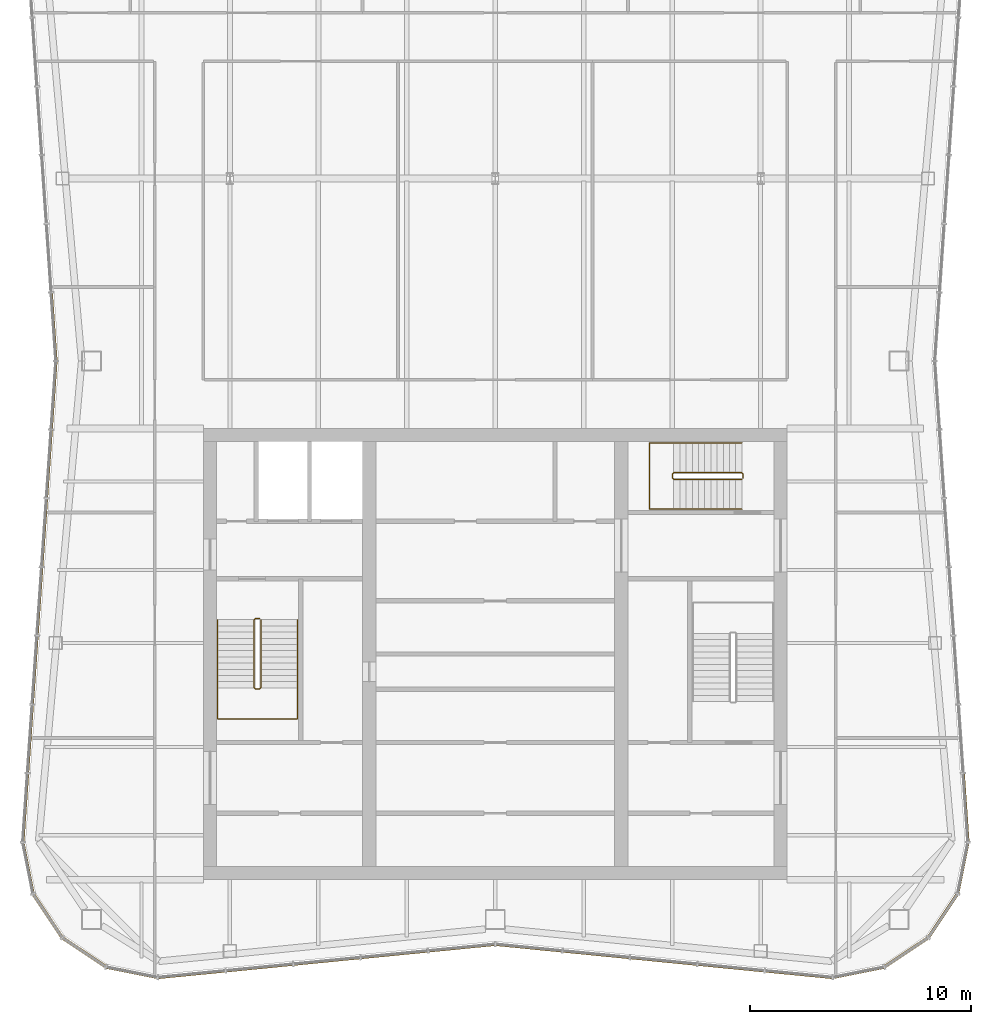
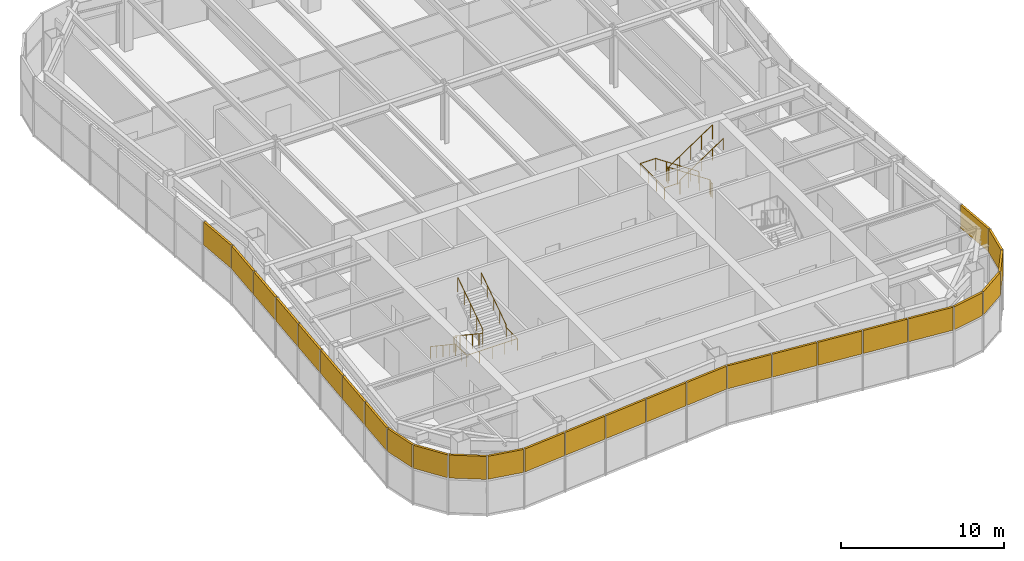
# One storey, part 12 of 13: 27 shading devices, 4 railings, 5 elements without a shape of their own.
"""IFC4 building model written with IfcOpenShell, lengths in metres."""

from ifc_helpers import new_model, si_unit, direction, frame, origin, origin_2d, place, context, subcontext, project, spatial, rectangle, circle, extrude, material, layer, layer_set, type_object, element, aggregate, save


model = new_model("IFC4")

# Units and contexts
model_context = context("Model", 3, precision=1e-05, world=origin(), true_north=direction((0.0, 1.0)))
body_context = subcontext(model_context, "Body", "Model", "MODEL_VIEW")
ifc_project = project(units=[si_unit("LENGTHUNIT", "METRE"), si_unit("AREAUNIT", "SQUARE_METRE"), si_unit("VOLUMEUNIT", "CUBIC_METRE"), si_unit("PLANEANGLEUNIT", "RADIAN"), si_unit("MASSUNIT", "GRAM", prefix="KILO")], contexts=[model_context])

# Site, building, storey
site_placement = place(None, origin())
site = spatial("IfcSite", under=ifc_project, at=site_placement, CompositionType="ELEMENT")
building_placement = place(site_placement, origin())
building = spatial("IfcBuilding", under=site, at=building_placement, Name="Verdant Reach Tower", CompositionType="ELEMENT")
storey_placement = place(building_placement, frame((0.0, 0.0, 359.5)))
storey = spatial("IfcBuildingStorey", under=building, at=storey_placement, Name="L81 Plant", CompositionType="ELEMENT", Elevation=359.5)

# Railings
ifc_material_1 = material(Name="Stainless steel", Category="steel")
railing_type_1 = type_object("IfcRailingType", Name="CO-GUARD", PredefinedType="GUARDRAIL", material=ifc_material_1)
railing_1_placement = place(storey_placement, frame((-10.64990234375, 29.60009765625, 0.0)))
element("IfcRailing", 1, at=railing_1_placement, inside=storey, type_object=railing_type_1, Name="L81 Plant ST-1 stair guard 1", PredefinedType="GUARDRAIL", context=body_context, shape_type="SweptSolid", body=[
    extrude(circle(Radius=0.02392578125, at=origin_2d()), frame((0.0, 0.0, 1.076171875), z_axis=(-1.0, 0.0, 0.0), x_axis=(0.0, -1.0, 0.0)), (0.0, 0.0, 1.0), 0.2001953125),
    extrude(circle(Radius=0.02392578125, at=origin_2d()), frame((-0.2001953125, 0.0, 1.076171875), z_axis=(-0.248583702486, -0.249802250048, 0.935844527007), x_axis=(0.708833529934, -0.705375805398, 0.0)), (0.0, 0.0, 1.0), 0.200439453125),
    extrude(circle(Radius=0.02392578125, at=origin_2d()), frame((-0.25, -0.050048828125, 1.263671875), z_axis=(0.0, -0.830913701846, 0.55640131208), x_axis=(1.0, 0.0, 0.0)), (0.0, 0.0, 1.0), 3.706787109375),
    extrude(circle(Radius=0.02392578125, at=origin_2d()), frame((-0.25, -3.130126953125, 3.326171875), z_axis=(0.705375805398, -0.708833529934, 0.0), x_axis=(0.708833529934, 0.705375805398, 0.0)), (0.0, 0.0, 1.0), 0.070556640625),
    extrude(circle(Radius=0.02392578125, at=origin_2d()), frame((-0.2001953125, -3.18017578125, 3.326171875), z_axis=(1.0, 0.0, 0.0), x_axis=(0.0, 1.0, 0.0)), (0.0, 0.0, 1.0), 0.2001953125),
    extrude(circle(Radius=0.02392578125, at=origin_2d()), frame((0.0, -3.18017578125, 3.326171875), z_axis=(0.248583702486, 0.249802250048, 0.935844527007), x_axis=(-0.708833529934, 0.705375805398, 0.0)), (0.0, 0.0, 1.0), 0.200439453125),
    extrude(circle(Radius=0.02392578125, at=origin_2d()), frame((0.0498046875, -3.130126953125, 3.513671875), z_axis=(0.0, 0.830913701846, 0.55640131208), x_axis=(-1.0, 0.0, 0.0)), (0.0, 0.0, 1.0), 3.706787109375),
    extrude(circle(Radius=0.02099609375, at=origin_2d()), origin(), (0.0, 0.0, 1.0), 1.052001953125),
    extrude(circle(Radius=0.02099609375, at=origin_2d()), frame((-0.2001953125, 0.0, 0.0)), (0.0, 0.0, 1.0), 1.052001953125),
    extrude(circle(Radius=0.02099609375, at=origin_2d()), frame((-0.25, -0.050048828125, 0.1875)), (0.0, 0.0, 1.0), 1.052001953125),
    extrude(circle(Radius=0.02099609375, at=origin_2d()), frame((-0.25, -0.820068359375, 0.703125)), (0.0, 0.0, 1.0), 1.052001953125),
    extrude(circle(Radius=0.02099609375, at=origin_2d()), frame((-0.25, -1.590087890625, 1.21875)), (0.0, 0.0, 1.0), 1.052001953125),
    extrude(circle(Radius=0.02099609375, at=origin_2d()), frame((-0.25, -2.360107421875, 1.734375)), (0.0, 0.0, 1.0), 1.052001953125),
    extrude(circle(Radius=0.02099609375, at=origin_2d()), frame((-0.25, -3.130126953125, 2.25)), (0.0, 0.0, 1.0), 1.052001953125),
    extrude(circle(Radius=0.02099609375, at=origin_2d()), frame((-0.2001953125, -3.18017578125, 2.25)), (0.0, 0.0, 1.0), 1.052001953125),
    extrude(circle(Radius=0.02099609375, at=origin_2d()), frame((0.0, -3.18017578125, 2.25)), (0.0, 0.0, 1.0), 1.052001953125),
    extrude(circle(Radius=0.02099609375, at=origin_2d()), frame((0.0498046875, -3.130126953125, 2.4375)), (0.0, 0.0, 1.0), 1.052001953125),
    extrude(circle(Radius=0.02099609375, at=origin_2d()), frame((0.0498046875, -2.360107421875, 2.953125)), (0.0, 0.0, 1.0), 1.052001953125),
    extrude(circle(Radius=0.02099609375, at=origin_2d()), frame((0.0498046875, -1.590087890625, 3.46875)), (0.0, 0.0, 1.0), 1.052001953125),
    extrude(circle(Radius=0.02099609375, at=origin_2d()), frame((0.0498046875, -0.820068359375, 3.984375)), (0.0, 0.0, 1.0), 1.052001953125),
    extrude(circle(Radius=0.02099609375, at=origin_2d()), frame((0.0498046875, -0.050048828125, 4.5)), (0.0, 0.0, 1.0), 1.052001953125),
])
railing_2_placement = place(storey_placement, frame((11.199951171875, 35.949951171875, 0.0)))
element("IfcRailing", 2, at=railing_2_placement, inside=storey, type_object=railing_type_1, Name="L81 Plant ST-3 stair guard 1", PredefinedType="GUARDRAIL", context=body_context, shape_type="SweptSolid", body=[
    extrude(circle(Radius=0.02392578125, at=origin_2d()), frame((0.0, 0.0, 1.076171875), z_axis=(0.0, 1.0, 0.0), x_axis=(-1.0, 0.0, 0.0)), (0.0, 0.0, 1.0), 0.199951171875),
    extrude(circle(Radius=0.02392578125, at=origin_2d()), frame((0.0, 0.199951171875, 1.076171875), z_axis=(-0.249726431254, 0.249726431254, 0.935560483917), x_axis=(-0.707106781187, -0.707106781187, 0.0)), (0.0, 0.0, 1.0), 0.200439453125),
    extrude(circle(Radius=0.02392578125, at=origin_2d()), frame((-0.050048828125, 0.25, 1.263671875), z_axis=(-0.830893310487, 0.0, 0.556431762742), x_axis=(0.0, -1.0, 0.0)), (0.0, 0.0, 1.0), 3.70654296875),
    extrude(circle(Radius=0.02392578125, at=origin_2d()), frame((-3.1298828125, 0.25, 3.326171875), z_axis=(-0.707106781187, -0.707106781187, 0.0), x_axis=(0.707106781187, -0.707106781187, 0.0)), (0.0, 0.0, 1.0), 0.07080078125),
    extrude(circle(Radius=0.02392578125, at=origin_2d()), frame((-3.179931640625, 0.199951171875, 3.326171875), z_axis=(0.0, -1.0, 0.0), x_axis=(1.0, 0.0, 0.0)), (0.0, 0.0, 1.0), 0.199951171875),
    extrude(circle(Radius=0.02392578125, at=origin_2d()), frame((-3.179931640625, 0.0, 3.326171875), z_axis=(0.249726431254, -0.249726431254, 0.935560483917), x_axis=(0.707106781187, 0.707106781187, 0.0)), (0.0, 0.0, 1.0), 0.200439453125),
    extrude(circle(Radius=0.02392578125, at=origin_2d()), frame((-3.1298828125, -0.050048828125, 3.513671875), z_axis=(0.830893310487, 0.0, 0.556431762742), x_axis=(0.0, 1.0, 0.0)), (0.0, 0.0, 1.0), 3.70654296875),
    extrude(circle(Radius=0.02099609375, at=origin_2d()), origin(), (0.0, 0.0, 1.0), 1.052001953125),
    extrude(circle(Radius=0.02099609375, at=origin_2d()), frame((0.0, 0.199951171875, 0.0)), (0.0, 0.0, 1.0), 1.052001953125),
    extrude(circle(Radius=0.02099609375, at=origin_2d()), frame((-0.050048828125, 0.25, 0.1875)), (0.0, 0.0, 1.0), 1.052001953125),
    extrude(circle(Radius=0.02099609375, at=origin_2d()), frame((-0.820068359375, 0.25, 0.703125)), (0.0, 0.0, 1.0), 1.052001953125),
    extrude(circle(Radius=0.02099609375, at=origin_2d()), frame((-1.58984375, 0.25, 1.21875)), (0.0, 0.0, 1.0), 1.052001953125),
    extrude(circle(Radius=0.02099609375, at=origin_2d()), frame((-2.35986328125, 0.25, 1.734375)), (0.0, 0.0, 1.0), 1.052001953125),
    extrude(circle(Radius=0.02099609375, at=origin_2d()), frame((-3.1298828125, 0.25, 2.25)), (0.0, 0.0, 1.0), 1.052001953125),
    extrude(circle(Radius=0.02099609375, at=origin_2d()), frame((-3.179931640625, 0.199951171875, 2.25)), (0.0, 0.0, 1.0), 1.052001953125),
    extrude(circle(Radius=0.02099609375, at=origin_2d()), frame((-3.179931640625, 0.0, 2.25)), (0.0, 0.0, 1.0), 1.052001953125),
    extrude(circle(Radius=0.02099609375, at=origin_2d()), frame((-3.1298828125, -0.050048828125, 2.4375)), (0.0, 0.0, 1.0), 1.052001953125),
    extrude(circle(Radius=0.02099609375, at=origin_2d()), frame((-2.35986328125, -0.050048828125, 2.953125)), (0.0, 0.0, 1.0), 1.052001953125),
    extrude(circle(Radius=0.02099609375, at=origin_2d()), frame((-1.58984375, -0.050048828125, 3.46875)), (0.0, 0.0, 1.0), 1.052001953125),
    extrude(circle(Radius=0.02099609375, at=origin_2d()), frame((-0.820068359375, -0.050048828125, 3.984375)), (0.0, 0.0, 1.0), 1.052001953125),
    extrude(circle(Radius=0.02099609375, at=origin_2d()), frame((-0.050048828125, -0.050048828125, 4.5)), (0.0, 0.0, 1.0), 1.052001953125),
])
railing_type_2 = type_object("IfcRailingType", Name="CO-HANDRAIL", PredefinedType="HANDRAIL", material=ifc_material_1)
railing_3_placement = place(storey_placement, frame((-12.550048828125, 29.550048828125, 0.1875)))
element("IfcRailing", 3, at=railing_3_placement, inside=storey, type_object=railing_type_2, Name="L81 Plant ST-1 stair handrail 1", PredefinedType="HANDRAIL", context=body_context, shape_type="SweptSolid", body=[
    extrude(circle(Radius=0.02392578125, at=origin_2d()), frame((0.0, 0.0, 0.8759765625), z_axis=(0.0, -0.830913701846, 0.55640131208), x_axis=(1.0, 0.0, 0.0)), (0.0, 0.0, 1.0), 3.706787109375),
    extrude(circle(Radius=0.02392578125, at=origin_2d()), frame((0.0, -3.080078125, 2.9384765625), z_axis=(0.0, -1.0, 0.0), x_axis=(1.0, 0.0, 0.0)), (0.0, 0.0, 1.0), 1.39990234375),
    extrude(circle(Radius=0.02392578125, at=origin_2d()), frame((0.0, -4.47998046875, 2.9384765625), z_axis=(1.0, 0.0, 0.0), x_axis=(0.0, 1.0, 0.0)), (0.0, 0.0, 1.0), 3.60009765625),
    extrude(circle(Radius=0.02392578125, at=origin_2d()), frame((3.60009765625, -4.47998046875, 2.9384765625), z_axis=(0.0, 1.0, 0.0), x_axis=(-1.0, 0.0, 0.0)), (0.0, 0.0, 1.0), 1.39990234375),
    extrude(circle(Radius=0.02392578125, at=origin_2d()), frame((3.60009765625, -3.080078125, 2.9384765625), z_axis=(0.0, 0.0, 1.0), x_axis=(1.0, 0.0, 0.0)), (0.0, 0.0, 1.0), 0.1875),
    extrude(circle(Radius=0.02392578125, at=origin_2d()), frame((3.60009765625, -3.080078125, 3.1259765625), z_axis=(0.0, 0.830913701846, 0.55640131208), x_axis=(-1.0, 0.0, 0.0)), (0.0, 0.0, 1.0), 3.706787109375),
    extrude(circle(Radius=0.02099609375, at=origin_2d()), origin(), (0.0, 0.0, 1.0), 0.851806640625),
    extrude(circle(Radius=0.02099609375, at=origin_2d()), frame((0.0, -0.77001953125, 0.515625)), (0.0, 0.0, 1.0), 0.851806640625),
    extrude(circle(Radius=0.02099609375, at=origin_2d()), frame((0.0, -1.5400390625, 1.03125)), (0.0, 0.0, 1.0), 0.851806640625),
    extrude(circle(Radius=0.02099609375, at=origin_2d()), frame((0.0, -2.31005859375, 1.546875)), (0.0, 0.0, 1.0), 0.851806640625),
    extrude(circle(Radius=0.02099609375, at=origin_2d()), frame((0.0, -3.080078125, 2.0625)), (0.0, 0.0, 1.0), 0.851806640625),
    extrude(circle(Radius=0.02099609375, at=origin_2d()), frame((0.0, -3.780029296875, 2.0625)), (0.0, 0.0, 1.0), 0.851806640625),
    extrude(circle(Radius=0.02099609375, at=origin_2d()), frame((0.0, -4.47998046875, 2.0625)), (0.0, 0.0, 1.0), 0.851806640625),
    extrude(circle(Radius=0.02099609375, at=origin_2d()), frame((0.89990234375, -4.47998046875, 2.0625)), (0.0, 0.0, 1.0), 0.851806640625),
    extrude(circle(Radius=0.02099609375, at=origin_2d()), frame((1.800048828125, -4.47998046875, 2.0625)), (0.0, 0.0, 1.0), 0.851806640625),
    extrude(circle(Radius=0.02099609375, at=origin_2d()), frame((2.7001953125, -4.47998046875, 2.0625)), (0.0, 0.0, 1.0), 0.851806640625),
    extrude(circle(Radius=0.02099609375, at=origin_2d()), frame((3.60009765625, -4.47998046875, 2.0625)), (0.0, 0.0, 1.0), 0.851806640625),
    extrude(circle(Radius=0.02099609375, at=origin_2d()), frame((3.60009765625, -3.780029296875, 2.0625)), (0.0, 0.0, 1.0), 0.851806640625),
    extrude(circle(Radius=0.02099609375, at=origin_2d()), frame((3.60009765625, -3.080078125, 2.0625)), (0.0, 0.0, 1.0), 0.851806640625),
    extrude(circle(Radius=0.02099609375, at=origin_2d()), frame((3.60009765625, -3.080078125, 2.25)), (0.0, 0.0, 1.0), 0.851806640625),
    extrude(circle(Radius=0.02099609375, at=origin_2d()), frame((3.60009765625, -2.31005859375, 2.765625)), (0.0, 0.0, 1.0), 0.851806640625),
    extrude(circle(Radius=0.02099609375, at=origin_2d()), frame((3.60009765625, -1.5400390625, 3.28125)), (0.0, 0.0, 1.0), 0.851806640625),
    extrude(circle(Radius=0.02099609375, at=origin_2d()), frame((3.60009765625, -0.77001953125, 3.796875)), (0.0, 0.0, 1.0), 0.851806640625),
    extrude(circle(Radius=0.02099609375, at=origin_2d()), frame((3.60009765625, 0.0, 4.3125)), (0.0, 0.0, 1.0), 0.851806640625),
])
railing_4_placement = place(storey_placement, frame((11.14990234375, 37.550048828125, 0.1875)))
element("IfcRailing", 4, at=railing_4_placement, inside=storey, type_object=railing_type_2, Name="L81 Plant ST-3 stair handrail 1", PredefinedType="HANDRAIL", context=body_context, shape_type="SweptSolid", body=[
    extrude(circle(Radius=0.02392578125, at=origin_2d()), frame((0.0, 0.0, 0.8759765625), z_axis=(-0.830893310487, 0.0, 0.556431762742), x_axis=(0.0, -1.0, 0.0)), (0.0, 0.0, 1.0), 3.70654296875),
    extrude(circle(Radius=0.02392578125, at=origin_2d()), frame((-3.079833984375, 0.0, 2.9384765625), z_axis=(-1.0, 0.0, 0.0), x_axis=(0.0, -1.0, 0.0)), (0.0, 0.0, 1.0), 1.10009765625),
    extrude(circle(Radius=0.02392578125, at=origin_2d()), frame((-4.179931640625, 0.0, 2.9384765625), z_axis=(0.0, -1.0, 0.0), x_axis=(1.0, 0.0, 0.0)), (0.0, 0.0, 1.0), 3.0),
    extrude(circle(Radius=0.02392578125, at=origin_2d()), frame((-4.179931640625, -3.0, 2.9384765625), z_axis=(1.0, 0.0, 0.0), x_axis=(0.0, 1.0, 0.0)), (0.0, 0.0, 1.0), 1.10009765625),
    extrude(circle(Radius=0.02392578125, at=origin_2d()), frame((-3.079833984375, -3.0, 2.9384765625), z_axis=(0.0, 0.0, 1.0), x_axis=(1.0, 0.0, 0.0)), (0.0, 0.0, 1.0), 0.1875),
    extrude(circle(Radius=0.02392578125, at=origin_2d()), frame((-3.079833984375, -3.0, 3.1259765625), z_axis=(0.830893310487, 0.0, 0.556431762742), x_axis=(0.0, 1.0, 0.0)), (0.0, 0.0, 1.0), 3.70654296875),
    extrude(circle(Radius=0.02099609375, at=origin_2d()), origin(), (0.0, 0.0, 1.0), 0.851806640625),
    extrude(circle(Radius=0.02099609375, at=origin_2d()), frame((-0.77001953125, 0.0, 0.515625)), (0.0, 0.0, 1.0), 0.851806640625),
    extrude(circle(Radius=0.02099609375, at=origin_2d()), frame((-1.5400390625, 0.0, 1.03125)), (0.0, 0.0, 1.0), 0.851806640625),
    extrude(circle(Radius=0.02099609375, at=origin_2d()), frame((-2.309814453125, 0.0, 1.546875)), (0.0, 0.0, 1.0), 0.851806640625),
    extrude(circle(Radius=0.02099609375, at=origin_2d()), frame((-3.079833984375, 0.0, 2.0625)), (0.0, 0.0, 1.0), 0.851806640625),
    extrude(circle(Radius=0.02099609375, at=origin_2d()), frame((-4.179931640625, 0.0, 2.0625)), (0.0, 0.0, 1.0), 0.851806640625),
    extrude(circle(Radius=0.02099609375, at=origin_2d()), frame((-4.179931640625, -1.0, 2.0625)), (0.0, 0.0, 1.0), 0.851806640625),
    extrude(circle(Radius=0.02099609375, at=origin_2d()), frame((-4.179931640625, -2.0, 2.0625)), (0.0, 0.0, 1.0), 0.851806640625),
    extrude(circle(Radius=0.02099609375, at=origin_2d()), frame((-4.179931640625, -3.0, 2.0625)), (0.0, 0.0, 1.0), 0.851806640625),
    extrude(circle(Radius=0.02099609375, at=origin_2d()), frame((-3.079833984375, -3.0, 2.0625)), (0.0, 0.0, 1.0), 0.851806640625),
    extrude(circle(Radius=0.02099609375, at=origin_2d()), frame((-3.079833984375, -3.0, 2.25)), (0.0, 0.0, 1.0), 0.851806640625),
    extrude(circle(Radius=0.02099609375, at=origin_2d()), frame((-2.309814453125, -3.0, 2.765625)), (0.0, 0.0, 1.0), 0.851806640625),
    extrude(circle(Radius=0.02099609375, at=origin_2d()), frame((-1.5400390625, -3.0, 3.28125)), (0.0, 0.0, 1.0), 0.851806640625),
    extrude(circle(Radius=0.02099609375, at=origin_2d()), frame((-0.77001953125, -3.0, 3.796875)), (0.0, 0.0, 1.0), 0.851806640625),
    extrude(circle(Radius=0.02099609375, at=origin_2d()), frame((0.0, -3.0, 4.3125)), (0.0, 0.0, 1.0), 0.851806640625),
])

# Curtain wall, shading devices
ifc_material_2 = material(Name="Anodised aluminium", Category="aluminium")
curtain_wall_type = type_object("IfcCurtainWallType", Name="EN-CW SYSTEM PLANT", PredefinedType="NOTDEFINED", material=ifc_material_2)
curtain_wall_1_placement = place(storey_placement, origin())
curtain_wall_1 = element("IfcCurtainWall", 5, at=curtain_wall_1_placement, inside=storey, type_object=curtain_wall_type, Name="Curtain wall south-east corner, L81", PredefinedType="NOTDEFINED")
ifc_material_3 = material(Name="Bronze anodised aluminium louvre", Category="aluminium")
ifc_layer = layer(ifc_material_3, 0.14990234375)
ifc_layer_set = layer_set([ifc_layer], Name="EN-LOUVRE")
shading_device_type = type_object("IfcShadingDeviceType", Name="EN-LOUVRE", PredefinedType="USERDEFINED", material=ifc_layer_set)
shading_device_1_placement = place(storey_placement, frame((16.423828125, 13.614013671875, 2.425048828125), z_axis=(0.0, 0.0, 1.0), x_axis=(0.980705120874, 0.195492879387, 0.0)))
shading_device_1 = element("IfcShadingDevice", 6, at=shading_device_1_placement, type_object=shading_device_type, Name="Louvre bank south-east corner 1, L81", ObjectType="LOUVRE", PredefinedType="USERDEFINED", context=body_context, shape_type="SweptSolid", body=[
    extrude(rectangle(XDim=2.3056640625, YDim=0.14990234375, at=origin_2d()), origin(), (0.0, 0.0, 1.0), 1.72509765625),
])
shading_device_2_placement = place(storey_placement, frame((18.584228515625, 14.510009765625, 2.425048828125), z_axis=(0.0, 0.0, 1.0), x_axis=(0.83145208321, 0.555596466265, 0.0)))
shading_device_2 = element("IfcShadingDevice", 7, at=shading_device_2_placement, type_object=shading_device_type, Name="Louvre bank south-east corner 2, L81", ObjectType="LOUVRE", PredefinedType="USERDEFINED", context=body_context, shape_type="SweptSolid", body=[
    extrude(rectangle(XDim=2.3115234375, YDim=0.14990234375, at=origin_2d()), origin(), (0.0, 0.0, 1.0), 1.72509765625),
])
shading_device_3_placement = place(storey_placement, frame((20.239990234375, 16.165771484375, 2.425048828125), z_axis=(0.0, 0.0, 1.0), x_axis=(0.555596466265, 0.83145208321, 0.0)))
shading_device_3 = element("IfcShadingDevice", 8, at=shading_device_3_placement, type_object=shading_device_type, Name="Louvre bank south-east corner 3, L81", ObjectType="LOUVRE", PredefinedType="USERDEFINED", context=body_context, shape_type="SweptSolid", body=[
    extrude(rectangle(XDim=2.3115234375, YDim=0.14990234375, at=origin_2d()), origin(), (0.0, 0.0, 1.0), 1.72509765625),
])
shading_device_4_placement = place(storey_placement, frame((21.135986328125, 18.325439453125, 2.425048828125), z_axis=(0.0, 0.0, 1.0), x_axis=(0.195592962334, 0.980685165119, 0.0)))
shading_device_4 = element("IfcShadingDevice", 9, at=shading_device_4_placement, type_object=shading_device_type, Name="Louvre bank south-east corner 4, L81", ObjectType="LOUVRE", PredefinedType="USERDEFINED", context=body_context, shape_type="SweptSolid", body=[
    extrude(rectangle(XDim=2.303955078125, YDim=0.14990234375, at=origin_2d()), origin(), (0.0, 0.0, 1.0), 1.72509765625),
])
aggregate(curtain_wall_1, [shading_device_1, shading_device_2, shading_device_3, shading_device_4])

# Curtain wall, shading device
curtain_wall_2_placement = place(storey_placement, origin())
curtain_wall_2 = element("IfcCurtainWall", 10, at=curtain_wall_2_placement, inside=storey, type_object=curtain_wall_type, Name="Curtain wall east, L81", PredefinedType="NOTDEFINED")
shading_device_5_placement = place(storey_placement, frame((21.261474609375, 21.053955078125, 2.425048828125), z_axis=(0.0, 0.0, 1.0), x_axis=(-0.068469163133, 0.997653233193, 0.0)))
shading_device_5 = element("IfcShadingDevice", 11, at=shading_device_5_placement, type_object=shading_device_type, Name="Louvre bank east face part 1 1, L81", ObjectType="LOUVRE", PredefinedType="USERDEFINED", context=body_context, shape_type="SweptSolid", body=[
    extrude(rectangle(XDim=3.05419921875, YDim=0.14990234375, at=origin_2d()), origin(), (0.0, 0.0, 1.0), 1.72509765625),
])
aggregate(curtain_wall_2, [shading_device_5])

# Curtain wall, shading devices
curtain_wall_3_placement = place(storey_placement, origin())
curtain_wall_3 = element("IfcCurtainWall", 12, at=curtain_wall_3_placement, inside=storey, type_object=curtain_wall_type, Name="Curtain wall west, L81", PredefinedType="NOTDEFINED")
shading_device_6_placement = place(storey_placement, frame((-19.97607421875, 42.799560546875, 2.425048828125), z_axis=(0.0, 0.0, 1.0), x_axis=(0.068892655483, -0.997624078509, 0.0)))
shading_device_6 = element("IfcShadingDevice", 13, at=shading_device_6_placement, type_object=shading_device_type, Name="Louvre bank west face part 1 7, L81", ObjectType="LOUVRE", PredefinedType="USERDEFINED", context=body_context, shape_type="SweptSolid", body=[
    extrude(rectangle(XDim=3.0302734375, YDim=0.14990234375, at=origin_2d()), origin(), (0.0, 0.0, 1.0), 1.72509765625),
])
shading_device_7_placement = place(storey_placement, frame((-19.97607421875, 39.700439453125, 2.425048828125), z_axis=(0.0, 0.0, 1.0), x_axis=(-0.068892655483, -0.997624078509, 0.0)))
shading_device_7 = element("IfcShadingDevice", 14, at=shading_device_7_placement, type_object=shading_device_type, Name="Louvre bank west face part 2 1, L81", ObjectType="LOUVRE", PredefinedType="USERDEFINED", context=body_context, shape_type="SweptSolid", body=[
    extrude(rectangle(XDim=3.0302734375, YDim=0.14990234375, at=origin_2d()), origin(), (0.0, 0.0, 1.0), 1.72509765625),
])
shading_device_8_placement = place(storey_placement, frame((-20.190185546875, 36.597412109375, 2.425048828125), z_axis=(0.0, 0.0, 1.0), x_axis=(-0.068802091615, -0.997630328423, 0.0)))
shading_device_8 = element("IfcShadingDevice", 15, at=shading_device_8_placement, type_object=shading_device_type, Name="Louvre bank west face part 2 2, L81", ObjectType="LOUVRE", PredefinedType="USERDEFINED", context=body_context, shape_type="SweptSolid", body=[
    extrude(rectangle(XDim=3.03857421875, YDim=0.14990234375, at=origin_2d()), origin(), (0.0, 0.0, 1.0), 1.72509765625),
])
shading_device_9_placement = place(storey_placement, frame((-20.404541015625, 33.490234375, 2.425048828125), z_axis=(0.0, 0.0, 1.0), x_axis=(-0.068802091615, -0.997630328423, 0.0)))
shading_device_9 = element("IfcShadingDevice", 16, at=shading_device_9_placement, type_object=shading_device_type, Name="Louvre bank west face part 2 3, L81", ObjectType="LOUVRE", PredefinedType="USERDEFINED", context=body_context, shape_type="SweptSolid", body=[
    extrude(rectangle(XDim=3.03857421875, YDim=0.14990234375, at=origin_2d()), origin(), (0.0, 0.0, 1.0), 1.72509765625),
])
shading_device_10_placement = place(storey_placement, frame((-20.61865234375, 30.38330078125, 2.425048828125), z_axis=(0.0, 0.0, 1.0), x_axis=(-0.068802091615, -0.997630328423, 0.0)))
shading_device_10 = element("IfcShadingDevice", 17, at=shading_device_10_placement, type_object=shading_device_type, Name="Louvre bank west face part 2 4, L81", ObjectType="LOUVRE", PredefinedType="USERDEFINED", context=body_context, shape_type="SweptSolid", body=[
    extrude(rectangle(XDim=3.03857421875, YDim=0.14990234375, at=origin_2d()), origin(), (0.0, 0.0, 1.0), 1.72509765625),
])
shading_device_11_placement = place(storey_placement, frame((-20.8330078125, 27.276123046875, 2.425048828125), z_axis=(0.0, 0.0, 1.0), x_axis=(-0.068802091615, -0.997630328423, 0.0)))
shading_device_11 = element("IfcShadingDevice", 18, at=shading_device_11_placement, type_object=shading_device_type, Name="Louvre bank west face part 2 5, L81", ObjectType="LOUVRE", PredefinedType="USERDEFINED", context=body_context, shape_type="SweptSolid", body=[
    extrude(rectangle(XDim=3.03857421875, YDim=0.14990234375, at=origin_2d()), origin(), (0.0, 0.0, 1.0), 1.72509765625),
])
shading_device_12_placement = place(storey_placement, frame((-21.04736328125, 24.1689453125, 2.425048828125), z_axis=(0.0, 0.0, 1.0), x_axis=(-0.068802091615, -0.997630328423, 0.0)))
shading_device_12 = element("IfcShadingDevice", 19, at=shading_device_12_placement, type_object=shading_device_type, Name="Louvre bank west face part 2 6, L81", ObjectType="LOUVRE", PredefinedType="USERDEFINED", context=body_context, shape_type="SweptSolid", body=[
    extrude(rectangle(XDim=3.03857421875, YDim=0.14990234375, at=origin_2d()), origin(), (0.0, 0.0, 1.0), 1.72509765625),
])
shading_device_13_placement = place(storey_placement, frame((-21.261474609375, 21.053955078125, 2.425048828125), z_axis=(0.0, 0.0, 1.0), x_axis=(-0.068469163133, -0.997653233193, 0.0)))
shading_device_13 = element("IfcShadingDevice", 20, at=shading_device_13_placement, type_object=shading_device_type, Name="Louvre bank west face part 2 7, L81", ObjectType="LOUVRE", PredefinedType="USERDEFINED", context=body_context, shape_type="SweptSolid", body=[
    extrude(rectangle(XDim=3.05419921875, YDim=0.14990234375, at=origin_2d()), origin(), (0.0, 0.0, 1.0), 1.72509765625),
])
aggregate(curtain_wall_3, [shading_device_6, shading_device_7, shading_device_8, shading_device_9, shading_device_10, shading_device_11, shading_device_12, shading_device_13])

curtain_wall_4_placement = place(storey_placement, origin())
curtain_wall_4 = element("IfcCurtainWall", 21, at=curtain_wall_4_placement, inside=storey, type_object=curtain_wall_type, Name="Curtain wall south-west corner, L81", PredefinedType="NOTDEFINED")
shading_device_14_placement = place(storey_placement, frame((-21.135986328125, 18.325439453125, 2.425048828125), z_axis=(0.0, 0.0, 1.0), x_axis=(0.195592962334, -0.980685165119, 0.0)))
shading_device_14 = element("IfcShadingDevice", 22, at=shading_device_14_placement, type_object=shading_device_type, Name="Louvre bank south-west corner 1, L81", ObjectType="LOUVRE", PredefinedType="USERDEFINED", context=body_context, shape_type="SweptSolid", body=[
    extrude(rectangle(XDim=2.303955078125, YDim=0.14990234375, at=origin_2d()), origin(), (0.0, 0.0, 1.0), 1.72509765625),
])
shading_device_15_placement = place(storey_placement, frame((-20.239990234375, 16.165771484375, 2.425048828125), z_axis=(0.0, 0.0, 1.0), x_axis=(0.555596466265, -0.83145208321, 0.0)))
shading_device_15 = element("IfcShadingDevice", 23, at=shading_device_15_placement, type_object=shading_device_type, Name="Louvre bank south-west corner 2, L81", ObjectType="LOUVRE", PredefinedType="USERDEFINED", context=body_context, shape_type="SweptSolid", body=[
    extrude(rectangle(XDim=2.3115234375, YDim=0.14990234375, at=origin_2d()), origin(), (0.0, 0.0, 1.0), 1.72509765625),
])
shading_device_16_placement = place(storey_placement, frame((-18.584228515625, 14.510009765625, 2.425048828125), z_axis=(0.0, 0.0, 1.0), x_axis=(0.83145208321, -0.555596466265, 0.0)))
shading_device_16 = element("IfcShadingDevice", 24, at=shading_device_16_placement, type_object=shading_device_type, Name="Louvre bank south-west corner 3, L81", ObjectType="LOUVRE", PredefinedType="USERDEFINED", context=body_context, shape_type="SweptSolid", body=[
    extrude(rectangle(XDim=2.3115234375, YDim=0.14990234375, at=origin_2d()), origin(), (0.0, 0.0, 1.0), 1.72509765625),
])
shading_device_17_placement = place(storey_placement, frame((-16.423828125, 13.614013671875, 2.425048828125), z_axis=(0.0, 0.0, 1.0), x_axis=(0.980705120874, -0.195492879387, 0.0)))
shading_device_17 = element("IfcShadingDevice", 25, at=shading_device_17_placement, type_object=shading_device_type, Name="Louvre bank south-west corner 4, L81", ObjectType="LOUVRE", PredefinedType="USERDEFINED", context=body_context, shape_type="SweptSolid", body=[
    extrude(rectangle(XDim=2.3056640625, YDim=0.14990234375, at=origin_2d()), origin(), (0.0, 0.0, 1.0), 1.72509765625),
])
aggregate(curtain_wall_4, [shading_device_14, shading_device_15, shading_device_16, shading_device_17])

curtain_wall_5_placement = place(storey_placement, origin())
curtain_wall_5 = element("IfcCurtainWall", 26, at=curtain_wall_5_placement, inside=storey, type_object=curtain_wall_type, Name="Curtain wall south, L81", PredefinedType="NOTDEFINED")
shading_device_18_placement = place(storey_placement, frame((-13.72216796875, 13.53125, 2.425048828125), z_axis=(0.0, 0.0, 1.0), x_axis=(0.995238191716, 0.097472774402, 0.0)))
shading_device_18 = element("IfcShadingDevice", 27, at=shading_device_18_placement, type_object=shading_device_type, Name="Louvre bank south face part 1 1, L81", ObjectType="LOUVRE", PredefinedType="USERDEFINED", context=body_context, shape_type="SweptSolid", body=[
    extrude(rectangle(XDim=3.006103515625, YDim=0.14990234375, at=origin_2d()), origin(), (0.0, 0.0, 1.0), 1.72509765625),
])
shading_device_19_placement = place(storey_placement, frame((-10.663330078125, 13.83154296875, 2.425048828125), z_axis=(0.0, 0.0, 1.0), x_axis=(0.995197410875, 0.09788826992, 0.0)))
shading_device_19 = element("IfcShadingDevice", 28, at=shading_device_19_placement, type_object=shading_device_type, Name="Louvre bank south face part 1 2, L81", ObjectType="LOUVRE", PredefinedType="USERDEFINED", context=body_context, shape_type="SweptSolid", body=[
    extrude(rectangle(XDim=2.98876953125, YDim=0.14990234375, at=origin_2d()), origin(), (0.0, 0.0, 1.0), 1.72509765625),
])
shading_device_20_placement = place(storey_placement, frame((-7.61328125, 14.131591796875, 2.425048828125), z_axis=(0.0, 0.0, 1.0), x_axis=(0.995197410875, 0.09788826992, 0.0)))
shading_device_20 = element("IfcShadingDevice", 29, at=shading_device_20_placement, type_object=shading_device_type, Name="Louvre bank south face part 1 3, L81", ObjectType="LOUVRE", PredefinedType="USERDEFINED", context=body_context, shape_type="SweptSolid", body=[
    extrude(rectangle(XDim=2.98876953125, YDim=0.14990234375, at=origin_2d()), origin(), (0.0, 0.0, 1.0), 1.72509765625),
])
shading_device_21_placement = place(storey_placement, frame((-4.563232421875, 14.431640625, 2.425048828125), z_axis=(0.0, 0.0, 1.0), x_axis=(0.995197410875, 0.09788826992, 0.0)))
shading_device_21 = element("IfcShadingDevice", 30, at=shading_device_21_placement, type_object=shading_device_type, Name="Louvre bank south face part 1 4, L81", ObjectType="LOUVRE", PredefinedType="USERDEFINED", context=body_context, shape_type="SweptSolid", body=[
    extrude(rectangle(XDim=2.98876953125, YDim=0.14990234375, at=origin_2d()), origin(), (0.0, 0.0, 1.0), 1.72509765625),
])
shading_device_22_placement = place(storey_placement, frame((-1.519287109375, 14.731201171875, 2.425048828125), z_axis=(0.0, 0.0, 1.0), x_axis=(0.995179069607, 0.098074560493, 0.0)))
shading_device_22 = element("IfcShadingDevice", 31, at=shading_device_22_placement, type_object=shading_device_type, Name="Louvre bank south face part 1 5, L81", ObjectType="LOUVRE", PredefinedType="USERDEFINED", context=body_context, shape_type="SweptSolid", body=[
    extrude(rectangle(XDim=2.97705078125, YDim=0.14990234375, at=origin_2d()), origin(), (0.0, 0.0, 1.0), 1.72509765625),
])
shading_device_23_placement = place(storey_placement, frame((1.519287109375, 14.731201171875, 2.425048828125), z_axis=(0.0, 0.0, 1.0), x_axis=(0.995179069607, -0.098074560493, 0.0)))
shading_device_23 = element("IfcShadingDevice", 32, at=shading_device_23_placement, type_object=shading_device_type, Name="Louvre bank south face part 2 1, L81", ObjectType="LOUVRE", PredefinedType="USERDEFINED", context=body_context, shape_type="SweptSolid", body=[
    extrude(rectangle(XDim=2.97705078125, YDim=0.14990234375, at=origin_2d()), origin(), (0.0, 0.0, 1.0), 1.72509765625),
])
shading_device_24_placement = place(storey_placement, frame((4.563232421875, 14.431640625, 2.425048828125), z_axis=(0.0, 0.0, 1.0), x_axis=(0.995197410875, -0.09788826992, 0.0)))
shading_device_24 = element("IfcShadingDevice", 33, at=shading_device_24_placement, type_object=shading_device_type, Name="Louvre bank south face part 2 2, L81", ObjectType="LOUVRE", PredefinedType="USERDEFINED", context=body_context, shape_type="SweptSolid", body=[
    extrude(rectangle(XDim=2.98876953125, YDim=0.14990234375, at=origin_2d()), origin(), (0.0, 0.0, 1.0), 1.72509765625),
])
shading_device_25_placement = place(storey_placement, frame((7.61328125, 14.131591796875, 2.425048828125), z_axis=(0.0, 0.0, 1.0), x_axis=(0.995197410875, -0.09788826992, 0.0)))
shading_device_25 = element("IfcShadingDevice", 34, at=shading_device_25_placement, type_object=shading_device_type, Name="Louvre bank south face part 2 3, L81", ObjectType="LOUVRE", PredefinedType="USERDEFINED", context=body_context, shape_type="SweptSolid", body=[
    extrude(rectangle(XDim=2.98876953125, YDim=0.14990234375, at=origin_2d()), origin(), (0.0, 0.0, 1.0), 1.72509765625),
])
shading_device_26_placement = place(storey_placement, frame((10.663330078125, 13.83154296875, 2.425048828125), z_axis=(0.0, 0.0, 1.0), x_axis=(0.995197410875, -0.09788826992, 0.0)))
shading_device_26 = element("IfcShadingDevice", 35, at=shading_device_26_placement, type_object=shading_device_type, Name="Louvre bank south face part 2 4, L81", ObjectType="LOUVRE", PredefinedType="USERDEFINED", context=body_context, shape_type="SweptSolid", body=[
    extrude(rectangle(XDim=2.98876953125, YDim=0.14990234375, at=origin_2d()), origin(), (0.0, 0.0, 1.0), 1.72509765625),
])
shading_device_27_placement = place(storey_placement, frame((13.72216796875, 13.53125, 2.425048828125), z_axis=(0.0, 0.0, 1.0), x_axis=(0.995238191716, -0.097472774402, 0.0)))
shading_device_27 = element("IfcShadingDevice", 36, at=shading_device_27_placement, type_object=shading_device_type, Name="Louvre bank south face part 2 5, L81", ObjectType="LOUVRE", PredefinedType="USERDEFINED", context=body_context, shape_type="SweptSolid", body=[
    extrude(rectangle(XDim=3.006103515625, YDim=0.14990234375, at=origin_2d()), origin(), (0.0, 0.0, 1.0), 1.72509765625),
])
aggregate(curtain_wall_5, [shading_device_18, shading_device_19, shading_device_20, shading_device_21, shading_device_22, shading_device_23, shading_device_24, shading_device_25, shading_device_26, shading_device_27])

save(model, "model.ifc")
